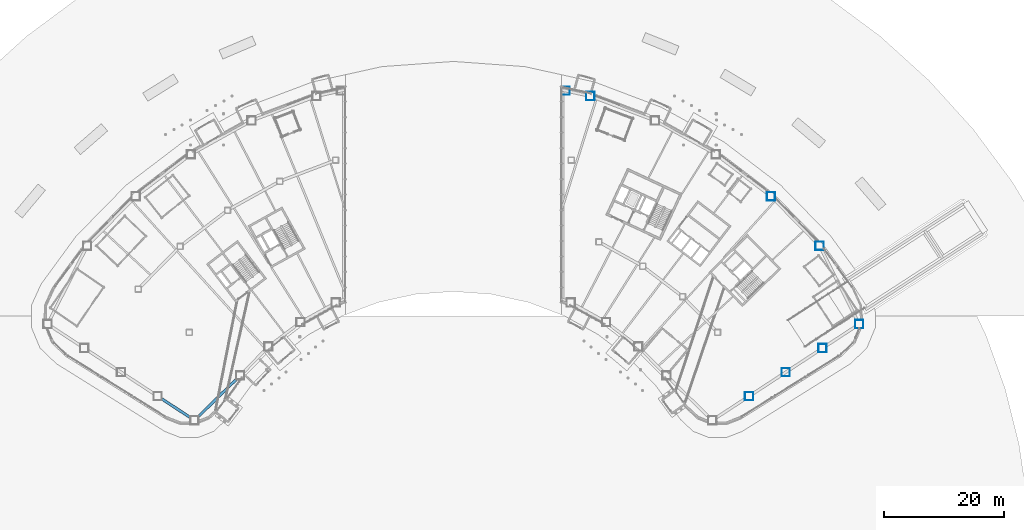
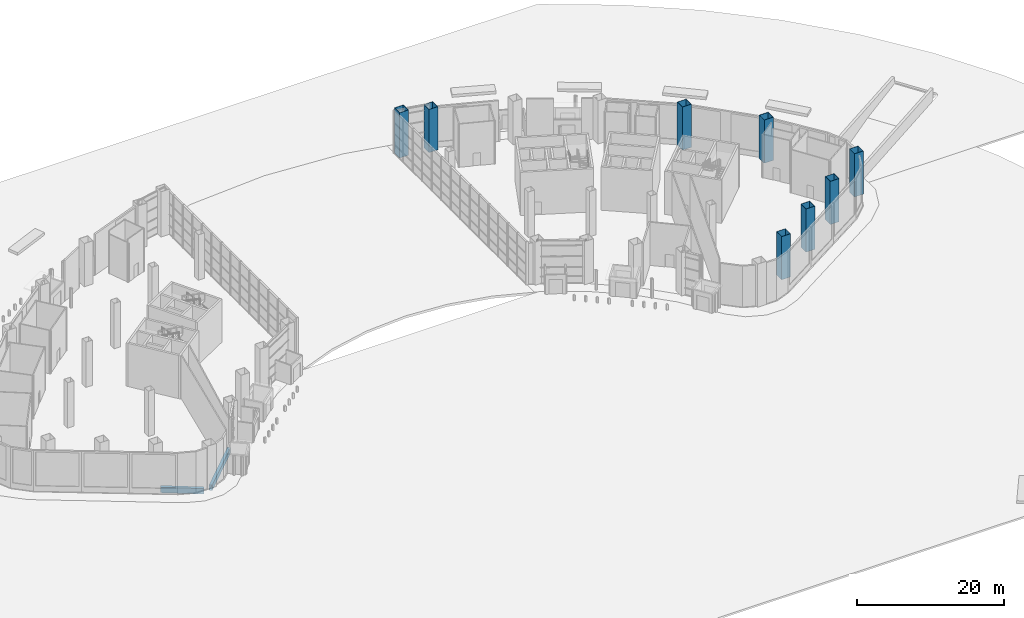
# One storey, part 8 of 45: 8 columns, 2 beams.
"""IFC4 building model written with IfcOpenShell, lengths in metres."""

from ifc_helpers import new_model, si_unit, direction, frame, origin, origin_2d, place, context, subcontext, project, spatial, hollow_rectangle, extrude, material, material_profile, profile_set, type_object, element, save


model = new_model("IFC4")

# Units and contexts
model_context = context("Model", 3, precision=1e-05, world=origin(), true_north=direction((0.0, 1.0)))
body_context = subcontext(model_context, "Body", "Model", "MODEL_VIEW")
ifc_project = project(units=[si_unit("LENGTHUNIT", "METRE"), si_unit("AREAUNIT", "SQUARE_METRE"), si_unit("VOLUMEUNIT", "CUBIC_METRE"), si_unit("PLANEANGLEUNIT", "RADIAN"), si_unit("MASSUNIT", "GRAM", prefix="KILO")], contexts=[model_context])

# Site, building, storey
site_placement = place(None, origin())
site = spatial("IfcSite", under=ifc_project, at=site_placement, CompositionType="ELEMENT")
building_placement = place(site_placement, origin())
building = spatial("IfcBuilding", under=site, at=building_placement, Name="Tuul Gate Civic Tower", CompositionType="ELEMENT")
storey_placement = place(building_placement, origin())
storey = spatial("IfcBuildingStorey", under=building, at=storey_placement, Name="Level 00", CompositionType="ELEMENT", Elevation=0.0)

# Columns
ifc_material_1 = material(Name="Steel S355", Category="steel")
ifc_material_profile_1 = material_profile(ifc_material_1, hollow_rectangle(XDim=1.39990234375, YDim=1.39990234375, WallThickness=0.0400390625, at=origin_2d()), Name="BOX1400x1400x40")
ifc_profile_set_1 = profile_set([ifc_material_profile_1], Name="Steel S355")
column_type = type_object("IfcColumnType", Name="STR-COLUMN-BOX1400x1400x40", PredefinedType="COLUMN", material=ifc_profile_set_1)
column_placement = place(storey_placement, frame((18.699951171875, 17.496826171875, 0.0), z_axis=(0.0, 0.0, 1.0), x_axis=(1.0, 0.0, 0.0)))
element("IfcColumn", 1, at=column_placement, inside=storey, type_object=column_type, Name="Arch jamb column", PredefinedType="COLUMN", context=body_context, shape_type="SweptSolid", body=[
    extrude(hollow_rectangle(XDim=1.39990234375, YDim=1.39990234375, WallThickness=0.0400390625, at=origin_2d()), origin(), (0.0, 0.0, 1.0), 7.5),
])
for number, where, z_axis, x_axis, name in (
    (2, (67.56201171875, -21.366943359375, 0.0), (0.0, 0.0, 1.0), (1.0, 0.0, 0.0), "Column"),
    (3, (60.9609375, -8.327880859375, 0.0), (0.0, 0.0, 1.0), (1.0, 0.0, 0.0), "Column"),
    (4, (52.8779296875, -0.08203125, 0.0), (0.0, 0.0, 1.0), (1.0, 0.0, 0.0), "Column"),
    (5, (22.7919921875, 16.594970703125, 0.0), (0.0, 0.0, 1.0), (1.0, 0.0, 0.0), "Column"),
    (6, (49.218017578125, -33.3720703125, 0.0), (0.0, 0.0, 1.0), (1.0, 0.0, 0.0), "Column"),
    (7, (55.33203125, -29.37109375, 0.0), (0.0, 0.0, 1.0), (1.0, 0.0, 0.0), "Column"),
    (8, (61.447021484375, -25.368896484375, 0.0), (0.0, 0.0, 1.0), (1.0, 0.0, 0.0), "Column"),
):
    element("IfcColumn", number, at=place(storey_placement, frame(where, z_axis=z_axis, x_axis=x_axis)), inside=storey, type_object=column_type, Name=name, PredefinedType="COLUMN", context=body_context, shape_type="SweptSolid", body=[
        extrude(hollow_rectangle(XDim=1.39990234375, YDim=1.39990234375, WallThickness=0.0400390625, at=origin_2d()), origin(), (0.0, 0.0, 1.0), 7.14990234375),
    ])

# Beams
ifc_material_2 = material(Name="Steel S355", Category="steel")
ifc_material_profile_2 = material_profile(ifc_material_2, hollow_rectangle(XDim=0.449951171875, YDim=0.89990234375, WallThickness=0.02490234375, at=origin_2d()), Name="BOX900x450x25")
ifc_profile_set_2 = profile_set([ifc_material_profile_2], Name="Steel S355")
beam_type = type_object("IfcBeamType", Name="STR-SPANDREL BEAM-BOX900x450x25", PredefinedType="BEAM", material=ifc_profile_set_2)
beam_1_placement = place(storey_placement, frame((-48.63232421875, -33.75537109375, -0.85009765625), z_axis=(0.836737319566, -0.547604472265, 0.0), x_axis=(0.547604472265, 0.836737319566, 0.0)))
element("IfcBeam", 9, at=beam_1_placement, inside=storey, type_object=beam_type, Name="Spandrel beam", PredefinedType="BEAM", context=body_context, shape_type="SweptSolid", body=[
    extrude(hollow_rectangle(XDim=0.449951171875, YDim=0.89990234375, WallThickness=0.02490234375, at=origin_2d()), origin(), (0.0, 0.0, 1.0), 5.908203125),
])
beam_2_placement = place(storey_placement, frame((-42.60302734375, -36.884033203125, -0.85009765625), z_axis=(0.714257932821, 0.699882565437, 0.0), x_axis=(-0.699882565437, 0.714257932821, 0.0)))
element("IfcBeam", 10, at=beam_2_placement, inside=storey, type_object=beam_type, Name="Spandrel beam", PredefinedType="BEAM", context=body_context, shape_type="SweptSolid", body=[
    extrude(hollow_rectangle(XDim=0.449951171875, YDim=0.89990234375, WallThickness=0.02490234375, at=origin_2d()), origin(), (0.0, 0.0, 1.0), 9.255859375),
])

save(model, "model.ifc")
